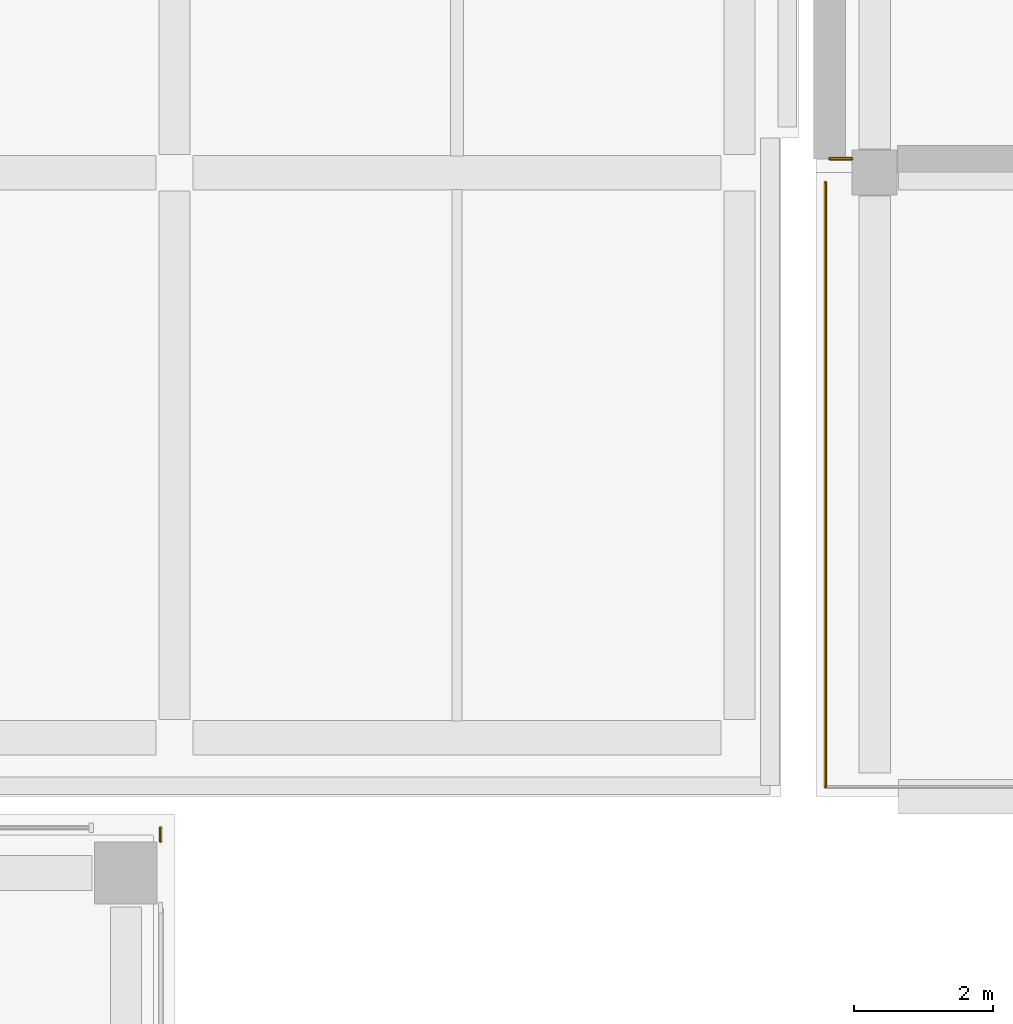
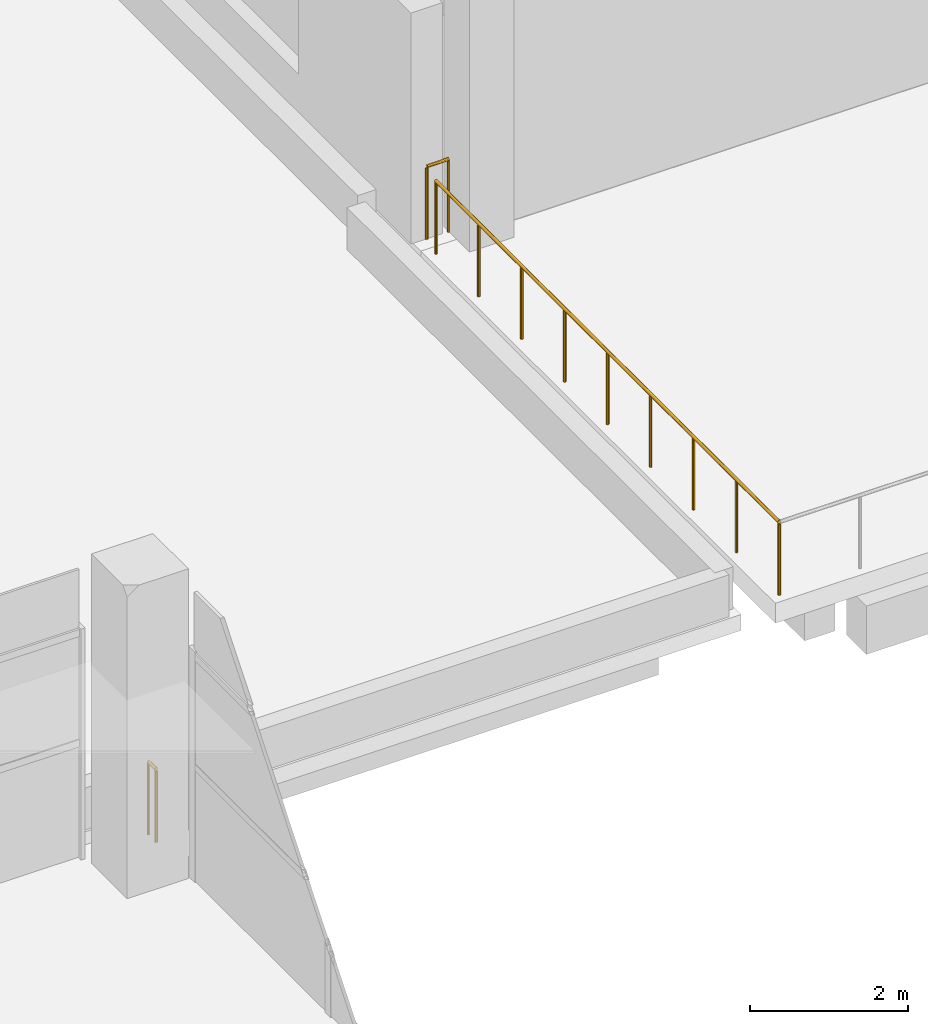
# One storey, part 72 of 82: 3 railings.
"""IFC4 building model written with IfcOpenShell, lengths in metres."""

from ifc_helpers import new_model, si_unit, direction, frame, origin, origin_2d, place, context, subcontext, project, spatial, circle, extrude, material, type_object, element, save


model = new_model("IFC4")

# Units and contexts
model_context = context("Model", 3, precision=1e-05, world=origin(), true_north=direction((0.0, 1.0)))
body_context = subcontext(model_context, "Body", "Model", "MODEL_VIEW")
ifc_project = project(units=[si_unit("LENGTHUNIT", "METRE"), si_unit("AREAUNIT", "SQUARE_METRE"), si_unit("VOLUMEUNIT", "CUBIC_METRE"), si_unit("PLANEANGLEUNIT", "RADIAN"), si_unit("MASSUNIT", "GRAM", prefix="KILO"), si_unit("THERMODYNAMICTEMPERATUREUNIT", "KELVIN"), si_unit("POWERUNIT", "WATT")], contexts=[model_context])

# Site, building, storey
site_placement = place(None, origin())
site = spatial("IfcSite", under=ifc_project, at=site_placement, CompositionType="ELEMENT")
building_placement = place(site_placement, origin())
building = spatial("IfcBuilding", under=site, at=building_placement, Name="Sindhuravela Promenade Stadium", CompositionType="ELEMENT")
storey_placement = place(building_placement, frame((0.0, 0.0, 14.39990234375)))
storey = spatial("IfcBuildingStorey", under=building, at=storey_placement, Name="L03", CompositionType="ELEMENT", Elevation=14.39990234375)

# Railings
ifc_material = material(Name="Architectural wrought steel E350", Category="steel")
railing_type_1 = type_object("IfcRailingType", Name="RL-BAL-1150", PredefinedType="BALUSTRADE", material=ifc_material)
railing_1_placement = place(storey_placement, frame((54.389892578125, 126.139892578125, 0.0)))
element("IfcRailing", 1, at=railing_1_placement, inside=storey, type_object=railing_type_1, Name="Terrace wrought balustrade BL01-41", PredefinedType="BALUSTRADE", context=body_context, shape_type="SweptSolid", body=[
    extrude(circle(Radius=0.02392578125, at=origin_2d()), frame((0.0, 0.0, 1.1259765625), z_axis=(0.0, 1.0, 0.0), x_axis=(-1.0, 0.0, 0.0)), (0.0, 0.0, 1.0), 8.72021484375),
    extrude(circle(Radius=0.02099609375, at=origin_2d()), origin(), (0.0, 0.0, 1.0), 1.101806640625),
    extrude(circle(Radius=0.02099609375, at=origin_2d()), frame((0.0, 1.090087890625, 0.0)), (0.0, 0.0, 1.0), 1.101806640625),
    extrude(circle(Radius=0.02099609375, at=origin_2d()), frame((0.0, 2.18017578125, 0.0)), (0.0, 0.0, 1.0), 1.101806640625),
    extrude(circle(Radius=0.02099609375, at=origin_2d()), frame((0.0, 3.27001953125, 0.0)), (0.0, 0.0, 1.0), 1.101806640625),
    extrude(circle(Radius=0.02099609375, at=origin_2d()), frame((0.0, 4.360107421875, 0.0)), (0.0, 0.0, 1.0), 1.101806640625),
    extrude(circle(Radius=0.02099609375, at=origin_2d()), frame((0.0, 5.4501953125, 0.0)), (0.0, 0.0, 1.0), 1.101806640625),
    extrude(circle(Radius=0.02099609375, at=origin_2d()), frame((0.0, 6.5400390625, 0.0)), (0.0, 0.0, 1.0), 1.101806640625),
    extrude(circle(Radius=0.02099609375, at=origin_2d()), frame((0.0, 7.630126953125, 0.0)), (0.0, 0.0, 1.0), 1.101806640625),
    extrude(circle(Radius=0.02099609375, at=origin_2d()), frame((0.0, 8.72021484375, 0.0)), (0.0, 0.0, 1.0), 1.101806640625),
])
railing_type_2 = type_object("IfcRailingType", Name="RL-GRD-1150", PredefinedType="GUARDRAIL", material=ifc_material)
railing_2_placement = place(storey_placement, frame((44.800048828125, 125.550048828125, 0.0)))
element("IfcRailing", 2, at=railing_2_placement, inside=storey, type_object=railing_type_2, Name="Perimeter edge return guard WEST L03", PredefinedType="GUARDRAIL", context=body_context, shape_type="SweptSolid", body=[
    extrude(circle(Radius=0.02392578125, at=origin_2d()), frame((0.0, 0.0, 1.1259765625), z_axis=(0.0, -1.0, 0.0), x_axis=(1.0, 0.0, 0.0)), (0.0, 0.0, 1.0), 0.195068359375),
    extrude(circle(Radius=0.02099609375, at=origin_2d()), origin(), (0.0, 0.0, 1.0), 1.101806640625),
    extrude(circle(Radius=0.02099609375, at=origin_2d()), frame((0.0, -0.195068359375, 0.0)), (0.0, 0.0, 1.0), 1.101806640625),
])
railing_3_placement = place(storey_placement, frame((54.77001953125, 135.199951171875, 0.0)))
element("IfcRailing", 3, at=railing_3_placement, inside=storey, type_object=railing_type_2, Name="Perimeter edge return guard NORTH L03", PredefinedType="GUARDRAIL", context=body_context, shape_type="SweptSolid", body=[
    extrude(circle(Radius=0.02392578125, at=origin_2d()), frame((0.0, 0.0, 1.1259765625), z_axis=(-1.0, 0.0, 0.0), x_axis=(0.0, -1.0, 0.0)), (0.0, 0.0, 1.0), 0.320068359375),
    extrude(circle(Radius=0.02099609375, at=origin_2d()), origin(), (0.0, 0.0, 1.0), 1.101806640625),
    extrude(circle(Radius=0.02099609375, at=origin_2d()), frame((-0.320068359375, 0.0, 0.0)), (0.0, 0.0, 1.0), 1.101806640625),
])

save(model, "model.ifc")
